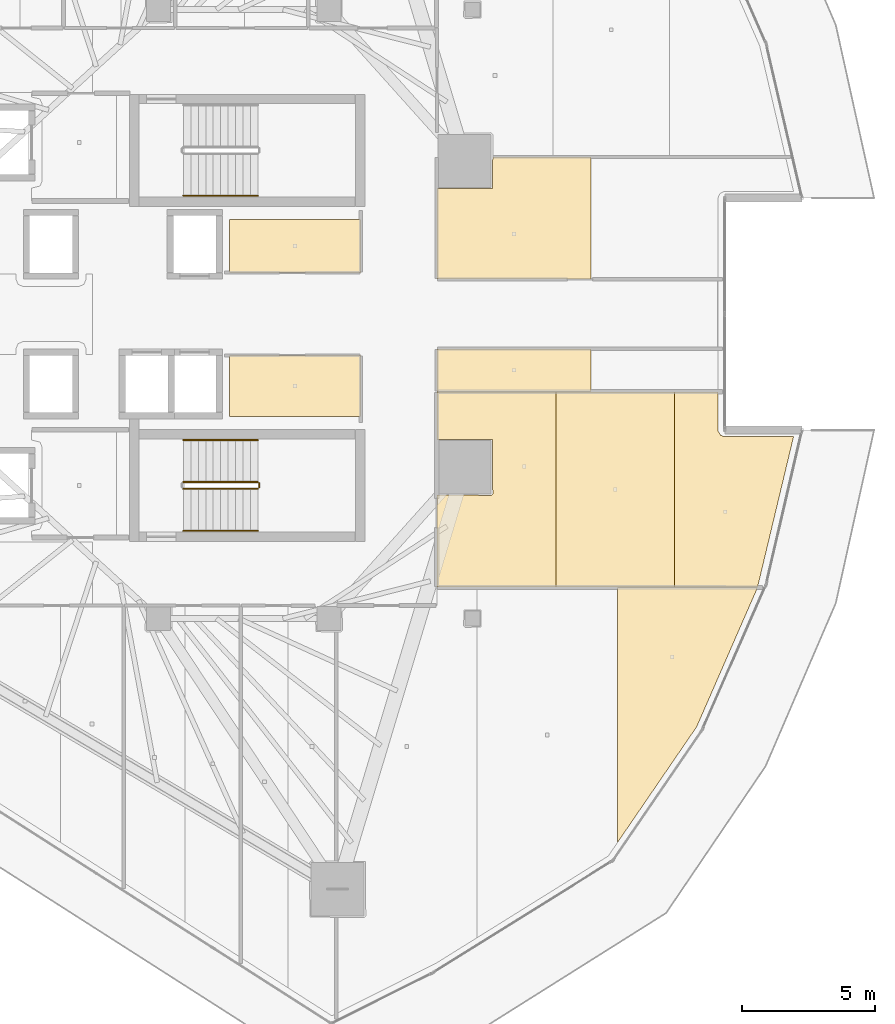
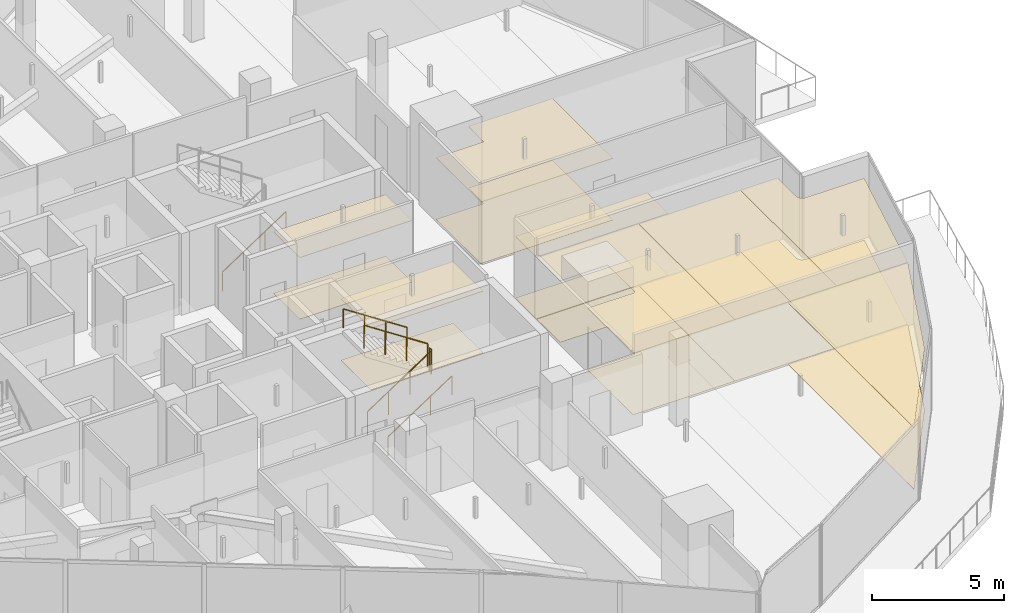
# One storey, part 40 of 43: 16 coverings, 6 railings.
"""IFC4 building model written with IfcOpenShell, lengths in metres."""

import ifcopenshell
import ifcopenshell.guid

model = None  # the IFC model being written
_history = None  # IfcOwnerHistory: only IFC2X3 demands one
_inside = {}  # id of a spatial element -> (the spatial element, [elements in it])
_under = {}  # id of a project, library or spatial element -> (it, [spatial elements below it])
_declared = {}  # id of a project -> (the project, [libraries it declares])
_typed = {}  # id of a type object -> (the type object, [elements of that type])
_made_of = {}  # id of a material, layer set ... -> (it, [elements and type objects made of it])


def new_model(schema):
    """Start an empty IFC model of exactly this schema.

    Asked for "IFC4X3", IfcOpenShell would pick the latest addendum, in which some entities
    have other attributes; the version numbers below select the first issue.
    IFC2X3 requires an IfcOwnerHistory on every rooted entity: one is made here for all.
    """
    global model, _history
    if schema == "IFC4X3":
        model = ifcopenshell.file(schema_version=(4, 3, 0, 0))
    else:
        model = ifcopenshell.file(schema=schema)
    _inside.clear()
    _under.clear()
    _declared.clear()
    _typed.clear()
    _made_of.clear()
    _history = None
    if model.schema == "IFC2X3":
        org = make("IfcOrganization", Name="unknown")
        user = make(
            "IfcPersonAndOrganization",
            ThePerson=make("IfcPerson", FamilyName="unknown"),
            TheOrganization=org,
        )
        app = make(
            "IfcApplication",
            ApplicationDeveloper=org,
            Version="unknown",
            ApplicationFullName="unknown",
            ApplicationIdentifier="unknown",
        )
        _history = make(
            "IfcOwnerHistory",
            OwningUser=user,
            OwningApplication=app,
            ChangeAction="ADDED",
            CreationDate=0,
        )
    return model


def make(cls, **values):
    """One entity of the class cls with the attributes given. An attribute that is None is left unset."""
    return model.create_entity(
        cls, **{name: value for name, value in values.items() if value is not None}
    )


def rooted(cls, **values):
    """An entity with a GlobalId (a new one), such as an element, a storey or a relation."""
    return make(cls, GlobalId=ifcopenshell.guid.new(), OwnerHistory=_history, **values)


def si_unit(unit_type, name, prefix=None):
    """IfcSIUnit, for example si_unit("LENGTHUNIT", "METRE", prefix="MILLI")."""
    return make("IfcSIUnit", UnitType=unit_type, Prefix=prefix, Name=name)


def assignment(units):
    """IfcUnitAssignment: the units of a project."""
    return None if units is None else make("IfcUnitAssignment", Units=units)


def point(xyz):
    """IfcCartesianPoint."""
    return None if xyz is None else make("IfcCartesianPoint", Coordinates=xyz)


def direction(xyz):
    """IfcDirection."""
    return None if xyz is None else make("IfcDirection", DirectionRatios=xyz)


def frame(location, z_axis=None, x_axis=None):
    """IfcAxis2Placement3D, a coordinate frame: its origin and axes. An axis left out is left unset."""
    return make(
        "IfcAxis2Placement3D",
        Location=point(location),
        Axis=direction(z_axis),
        RefDirection=direction(x_axis),
    )


def frame_2d(location, x_axis=None):
    """IfcAxis2Placement2D, a coordinate frame in the plane: its origin and x axis."""
    return make(
        "IfcAxis2Placement2D", Location=point(location), RefDirection=direction(x_axis)
    )


def origin():
    """The frame at (0, 0, 0) with its axes left unset."""
    return frame((0.0, 0.0, 0.0))


def origin_2d():
    """The frame at (0, 0) in the plane with its x axis left unset."""
    return frame_2d((0.0, 0.0))


def place(relative_to, where):
    """IfcLocalPlacement: puts the frame where relative to a parent placement (None: the world)."""
    return make(
        "IfcLocalPlacement", PlacementRelTo=relative_to, RelativePlacement=where
    )


def context(
    kind, dimensions, precision=None, world=None, true_north=None, identifier=None
):
    """IfcGeometricRepresentationContext, for example the 3D "Model" context."""
    return make(
        "IfcGeometricRepresentationContext",
        ContextIdentifier=identifier,
        ContextType=kind,
        CoordinateSpaceDimension=dimensions,
        Precision=precision,
        WorldCoordinateSystem=world,
        TrueNorth=true_north,
    )


def subcontext(parent, identifier, kind, view, scale=None):
    """IfcGeometricRepresentationSubContext, for example "Body" below "Model"."""
    return make(
        "IfcGeometricRepresentationSubContext",
        ContextIdentifier=identifier,
        ContextType=kind,
        ParentContext=parent,
        TargetScale=scale,
        TargetView=view,
    )


def project(units=None, contexts=None):
    """IfcProject with its units and contexts."""
    return rooted(
        "IfcProject",
        Name="project",
        RepresentationContexts=contexts,
        UnitsInContext=assignment(units),
    )


def spatial(cls, under=None, at=None, **own):
    """A site, building, storey or space (cls), placed at a placement, below another one or the project."""
    s = rooted(cls, ObjectPlacement=at, **own)
    if under is not None:
        _under.setdefault(under.id(), (under, []))[1].append(s)
    return s


def polyline(points):
    """IfcPolyline through the points."""
    return make("IfcPolyline", Points=[point(p) for p in points])


def profile(cls, at=None, kind="AREA", **sizes):
    """A parametric profile (cls). Its sizes go by their IFC names, for example OverallWidth=200.0."""
    return make(cls, ProfileType=kind, Position=at, **sizes)


def circle(**sizes):
    """IfcCircleProfileDef."""
    return profile("IfcCircleProfileDef", **sizes)


def outline(outer, holes=None, kind="AREA"):
    """IfcArbitraryClosedProfileDef: a profile drawn as a closed curve; with holes, ...WithVoids."""
    if holes is None:
        return make("IfcArbitraryClosedProfileDef", ProfileType=kind, OuterCurve=outer)
    return make(
        "IfcArbitraryProfileDefWithVoids",
        ProfileType=kind,
        OuterCurve=outer,
        InnerCurves=holes,
    )


def extrude(swept, where, along, depth):
    """IfcExtrudedAreaSolid: the profile swept, set in the frame where, extruded along a direction by depth."""
    return make(
        "IfcExtrudedAreaSolid",
        SweptArea=swept,
        Position=where,
        ExtrudedDirection=direction(along),
        Depth=depth,
    )


def shape(context_of_items, identifier, shape_type, items):
    """IfcShapeRepresentation: the items that make up one representation, for example the "Body"."""
    return make(
        "IfcShapeRepresentation",
        ContextOfItems=context_of_items,
        RepresentationIdentifier=identifier,
        RepresentationType=shape_type,
        Items=items,
    )


def material(Name=None, Category=None):
    """IfcMaterial."""
    return make("IfcMaterial", Name=Name, Category=Category)


def layer(
    of_material, thickness, ventilated=None, Name=None, Category=None, Priority=None
):
    """IfcMaterialLayer: one layer of a wall or slab, of a material (None: an air gap)."""
    return make(
        "IfcMaterialLayer",
        Material=of_material,
        LayerThickness=thickness,
        IsVentilated=ventilated,
        Name=Name,
        Category=Category,
        Priority=Priority,
    )


def layer_set(layers, Name=None):
    """IfcMaterialLayerSet."""
    return make("IfcMaterialLayerSet", MaterialLayers=layers, LayerSetName=Name)


def made_of(thing, what):
    """Note that an element or type object is made of a material, layer set ...; save() writes the relation."""
    if what is not None:
        _made_of.setdefault(what.id(), (what, []))[1].append(thing)
    return thing


def type_object(cls, material=None, **own):
    """A type object (cls), such as IfcWallType, which elements share."""
    return made_of(rooted(cls, **own), material)


def element(
    cls,
    number,
    at=None,
    inside=None,
    cuts=None,
    type_object=None,
    material=None,
    context=None,
    identifier="Body",
    shape_type=None,
    held_by="IfcProductDefinitionShape",
    body=None,
    shapes=None,
    **own,
):
    """One element of the class cls, such as IfcWall. Its Tag is "e" and its number.

    at: its placement. inside: the storey or other place that contains it. cuts: it is an
    opening in that element (IfcRelVoidsElement). A single representation is given by context,
    identifier, shape_type and body (its items); several are given by shapes. held_by: the class
    of the entity that holds the representations. save() writes the other relations.
    """
    e = rooted(cls, Tag="e%d" % number, ObjectPlacement=at, **own)
    if body is not None:
        shapes = [shape(context, identifier, shape_type, body)]
    if shapes is not None:
        e.Representation = make(held_by, Representations=shapes)
    if inside is not None:
        _inside.setdefault(inside.id(), (inside, []))[1].append(e)
    if cuts is not None:
        rooted(
            "IfcRelVoidsElement", RelatingBuildingElement=cuts, RelatedOpeningElement=e
        )
    if type_object is not None:
        _typed.setdefault(type_object.id(), (type_object, []))[1].append(e)
    return made_of(e, material)


def aggregate(whole, parts):
    """IfcRelAggregates: a whole, such as a stair, and the parts it consists of."""
    return rooted("IfcRelAggregates", RelatingObject=whole, RelatedObjects=parts)


def save(model, path):
    """Write the relations noted so far, then the file.

    IfcRelAggregates (storeys below a building ...), IfcRelContainedInSpatialStructure (elements
    in a storey), IfcRelDefinesByType, IfcRelAssociatesMaterial and IfcRelDeclares: one each for
    every whole, place, type object, material and project.
    """
    for whole, parts in _under.values():
        aggregate(whole, parts)
    for where, things in _inside.values():
        rooted(
            "IfcRelContainedInSpatialStructure",
            RelatedElements=things,
            RelatingStructure=where,
        )
    for kind, things in _typed.values():
        rooted("IfcRelDefinesByType", RelatedObjects=things, RelatingType=kind)
    for what, things in _made_of.values():
        rooted("IfcRelAssociatesMaterial", RelatedObjects=things, RelatingMaterial=what)
    for by, libraries in _declared.values():
        rooted("IfcRelDeclares", RelatingContext=by, RelatedDefinitions=libraries)
    model.write(path)


model = new_model("IFC4")

# Units and contexts
model_context = context("Model", 3, precision=1e-05, world=origin(), true_north=direction((0.0, 1.0)))
body_context = subcontext(model_context, "Body", "Model", "MODEL_VIEW")
ifc_project = project(units=[si_unit("LENGTHUNIT", "METRE"), si_unit("AREAUNIT", "SQUARE_METRE"), si_unit("VOLUMEUNIT", "CUBIC_METRE"), si_unit("PLANEANGLEUNIT", "RADIAN"), si_unit("MASSUNIT", "GRAM", prefix="KILO")], contexts=[model_context])

# Site, building, storey
site_placement = place(None, origin())
site = spatial("IfcSite", under=ifc_project, at=site_placement, CompositionType="ELEMENT")
building_placement = place(site_placement, origin())
building = spatial("IfcBuilding", under=site, at=building_placement, Name="Qorvath Tower", CompositionType="ELEMENT")
storey_placement = place(building_placement, frame((0.0, 0.0, 213.14990234375)))
storey = spatial("IfcBuildingStorey", under=building, at=storey_placement, Name="L49", CompositionType="ELEMENT", Elevation=213.14990234375)

# Coverings
ifc_material_1 = material(Name="Acoustic mineral fibre ceiling tile", Category="gypsum")
ifc_layer_1 = layer(ifc_material_1, 0.030029296875)
ifc_layer_set_1 = layer_set([ifc_layer_1], Name="COV-CEIL")
covering_type_1 = type_object("IfcCoveringType", Name="COV-CEIL", PredefinedType="CEILING", material=ifc_layer_set_1)
covering_1_placement = place(storey_placement, frame((0.0, 0.0, 2.85009765625)))
element("IfcCovering", 1, at=covering_1_placement, inside=storey, type_object=covering_type_1, Name="L49 Suspended Acoustic Ceiling 003", PredefinedType="CEILING", context=body_context, shape_type="SweptSolid", body=[
    extrude(outline(polyline([(-16.0048828125, 3.56005859375), (-20.93994140625, 3.56005859375), (-20.93994140625, 1.56494140625), (-16.0048828125, 1.56494140625), (-16.0048828125, 3.56005859375)])), origin(), (0.0, 0.0, 1.0), 0.030029296875),
])
covering_2_placement = place(storey_placement, frame((0.0, 0.0, 2.85009765625)))
element("IfcCovering", 2, at=covering_2_placement, inside=storey, type_object=covering_type_1, Name="L49 Suspended Acoustic Ceiling 004", PredefinedType="CEILING", context=body_context, shape_type="SweptSolid", body=[
    extrude(outline(polyline([(-20.93994140625, -1.56494140625), (-20.93994140625, -3.85009765625), (-16.0048828125, -3.85009765625), (-16.0048828125, -1.56494140625), (-20.93994140625, -1.56494140625)])), origin(), (0.0, 0.0, 1.0), 0.030029296875),
])
covering_3_placement = place(storey_placement, frame((0.0, 0.0, 2.85009765625)))
element("IfcCovering", 3, at=covering_3_placement, inside=storey, type_object=covering_type_1, Name="L49 Suspended Acoustic Ceiling 033", PredefinedType="CEILING", context=body_context, shape_type="SweptSolid", body=[
    extrude(outline(polyline([(-6.35595703125, -10.28173828125), (-6.35595703125, -19.885498046875), (-3.366943359375, -15.516845703125), (-1.0810546875, -10.283935546875), (-6.35595703125, -10.28173828125)])), origin(), (0.0, 0.0, 1.0), 0.030029296875),
])
covering_4_placement = place(storey_placement, frame((0.0, 0.0, 2.85009765625)))
element("IfcCovering", 4, at=covering_4_placement, inside=storey, type_object=covering_type_1, Name="L49 Suspended Acoustic Ceiling 034", PredefinedType="CEILING", context=body_context, shape_type="SweptSolid", body=[
    extrude(outline(polyline([(-8.6669921875, -10.262939453125), (-8.6669921875, -2.930908203125), (-13.136962890625, -2.930908203125), (-13.136962890625, -4.714599609375), (-11.054443359375, -4.715576171875), (-11.036865234375, -6.7578125), (-11.0966796875, -6.81787109375), (-13.136962890625, -6.80126953125), (-13.136962890625, -10.26123046875), (-8.6669921875, -10.262939453125)])), origin(), (0.0, 0.0, 1.0), 0.030029296875),
])
covering_5_placement = place(storey_placement, frame((0.0, 0.0, 2.85009765625)))
element("IfcCovering", 5, at=covering_5_placement, inside=storey, type_object=covering_type_1, Name="L49 Suspended Acoustic Ceiling 035", PredefinedType="CEILING", context=body_context, shape_type="SweptSolid", body=[
    extrude(outline(polyline([(-4.197021484375, -10.2646484375), (-4.197021484375, -2.930908203125), (-8.6669921875, -2.930908203125), (-8.6669921875, -10.262939453125), (-4.197021484375, -10.2646484375)])), origin(), (0.0, 0.0, 1.0), 0.030029296875),
])
covering_6_placement = place(storey_placement, frame((0.0, 0.0, 2.85009765625)))
element("IfcCovering", 6, at=covering_6_placement, inside=storey, type_object=covering_type_1, Name="L49 Suspended Acoustic Ceiling 036", PredefinedType="CEILING", context=body_context, shape_type="SweptSolid", body=[
    extrude(outline(polyline([(-2.473876953125, -4.5537109375), (-2.56103515625, -4.406494140625), (-2.56591796875, -2.930908203125), (-4.197021484375, -2.930908203125), (-4.197021484375, -10.2646484375), (-1.079345703125, -10.265869140625), (0.273193359375, -4.61279296875), (-2.33544921875, -4.611572265625), (-2.473876953125, -4.5537109375)])), origin(), (0.0, 0.0, 1.0), 0.030029296875),
])
covering_7_placement = place(storey_placement, frame((0.0, 0.0, 2.85009765625)))
element("IfcCovering", 7, at=covering_7_placement, inside=storey, type_object=covering_type_1, Name="L49 Suspended Acoustic Ceiling 037", PredefinedType="CEILING", context=body_context, shape_type="SweptSolid", body=[
    extrude(outline(polyline([(-7.342529296875, 1.31298828125), (-7.342529296875, 5.900390625), (-11.036865234375, 5.900390625), (-11.054443359375, 4.715576171875), (-13.136962890625, 4.714599609375), (-13.136962890625, 1.31298828125), (-7.342529296875, 1.31298828125)])), origin(), (0.0, 0.0, 1.0), 0.030029296875),
])
covering_8_placement = place(storey_placement, frame((0.0, 0.0, 2.85009765625)))
element("IfcCovering", 8, at=covering_8_placement, inside=storey, type_object=covering_type_1, Name="L49 Suspended Acoustic Ceiling 038", PredefinedType="CEILING", context=body_context, shape_type="SweptSolid", body=[
    extrude(outline(polyline([(-7.342529296875, -2.912841796875), (-7.342529296875, -1.310302734375), (-13.136962890625, -1.31298828125), (-13.136962890625, -2.912841796875), (-7.342529296875, -2.912841796875)])), origin(), (0.0, 0.0, 1.0), 0.030029296875),
])
ifc_material_2 = material(Name="Low-VOC modular carpet tile", Category="textile")
ifc_layer_2 = layer(ifc_material_2, 0.014892578125)
ifc_layer_set_2 = layer_set([ifc_layer_2], Name="COV-FLOOR-CPT")
covering_type_2 = type_object("IfcCoveringType", Name="COV-FLOOR-CPT", PredefinedType="FLOORING", material=ifc_layer_set_2)
covering_9_placement = place(storey_placement, origin())
element("IfcCovering", 9, at=covering_9_placement, inside=storey, type_object=covering_type_2, Name="L49 Floor Finish 003", PredefinedType="FLOORING", context=body_context, shape_type="SweptSolid", body=[
    extrude(outline(polyline([(-16.0048828125, 3.56005859375), (-20.93994140625, 3.56005859375), (-20.93994140625, 1.56494140625), (-16.0048828125, 1.56494140625), (-16.0048828125, 3.56005859375)])), origin(), (0.0, 0.0, 1.0), 0.01513671875),
])
covering_10_placement = place(storey_placement, origin())
element("IfcCovering", 10, at=covering_10_placement, inside=storey, type_object=covering_type_2, Name="L49 Floor Finish 004", PredefinedType="FLOORING", context=body_context, shape_type="SweptSolid", body=[
    extrude(outline(polyline([(-20.93994140625, -1.56494140625), (-20.93994140625, -3.85009765625), (-16.0048828125, -3.85009765625), (-16.0048828125, -1.56494140625), (-20.93994140625, -1.56494140625)])), origin(), (0.0, 0.0, 1.0), 0.01513671875),
])
covering_11_placement = place(storey_placement, origin())
element("IfcCovering", 11, at=covering_11_placement, inside=storey, type_object=covering_type_2, Name="L49 Floor Finish 033", PredefinedType="FLOORING", context=body_context, shape_type="SweptSolid", body=[
    extrude(outline(polyline([(-6.35595703125, -10.28173828125), (-6.35595703125, -19.885498046875), (-3.366943359375, -15.516845703125), (-1.0810546875, -10.283935546875), (-6.35595703125, -10.28173828125)])), origin(), (0.0, 0.0, 1.0), 0.01513671875),
])
covering_12_placement = place(storey_placement, origin())
element("IfcCovering", 12, at=covering_12_placement, inside=storey, type_object=covering_type_2, Name="L49 Floor Finish 034", PredefinedType="FLOORING", context=body_context, shape_type="SweptSolid", body=[
    extrude(outline(polyline([(-8.6669921875, -10.262939453125), (-8.6669921875, -2.930908203125), (-13.136962890625, -2.930908203125), (-13.136962890625, -4.714599609375), (-11.054443359375, -4.715576171875), (-11.036865234375, -6.7578125), (-11.0966796875, -6.81787109375), (-13.136962890625, -6.80126953125), (-13.136962890625, -10.26123046875), (-8.6669921875, -10.262939453125)])), origin(), (0.0, 0.0, 1.0), 0.01513671875),
])
covering_13_placement = place(storey_placement, origin())
element("IfcCovering", 13, at=covering_13_placement, inside=storey, type_object=covering_type_2, Name="L49 Floor Finish 035", PredefinedType="FLOORING", context=body_context, shape_type="SweptSolid", body=[
    extrude(outline(polyline([(-4.197021484375, -10.2646484375), (-4.197021484375, -2.930908203125), (-8.6669921875, -2.930908203125), (-8.6669921875, -10.262939453125), (-4.197021484375, -10.2646484375)])), origin(), (0.0, 0.0, 1.0), 0.01513671875),
])
covering_14_placement = place(storey_placement, origin())
element("IfcCovering", 14, at=covering_14_placement, inside=storey, type_object=covering_type_2, Name="L49 Floor Finish 036", PredefinedType="FLOORING", context=body_context, shape_type="SweptSolid", body=[
    extrude(outline(polyline([(-2.473876953125, -4.5537109375), (-2.56103515625, -4.406494140625), (-2.56591796875, -2.930908203125), (-4.197021484375, -2.930908203125), (-4.197021484375, -10.2646484375), (-1.079345703125, -10.265869140625), (0.273193359375, -4.61279296875), (-2.33544921875, -4.611572265625), (-2.473876953125, -4.5537109375)])), origin(), (0.0, 0.0, 1.0), 0.01513671875),
])
covering_15_placement = place(storey_placement, origin())
element("IfcCovering", 15, at=covering_15_placement, inside=storey, type_object=covering_type_2, Name="L49 Floor Finish 037", PredefinedType="FLOORING", context=body_context, shape_type="SweptSolid", body=[
    extrude(outline(polyline([(-7.342529296875, 1.31298828125), (-7.342529296875, 5.900390625), (-11.036865234375, 5.900390625), (-11.054443359375, 4.715576171875), (-13.136962890625, 4.714599609375), (-13.136962890625, 1.31298828125), (-7.342529296875, 1.31298828125)])), origin(), (0.0, 0.0, 1.0), 0.01513671875),
])
covering_16_placement = place(storey_placement, origin())
element("IfcCovering", 16, at=covering_16_placement, inside=storey, type_object=covering_type_2, Name="L49 Floor Finish 038", PredefinedType="FLOORING", context=body_context, shape_type="SweptSolid", body=[
    extrude(outline(polyline([(-7.342529296875, -2.912841796875), (-7.342529296875, -1.310302734375), (-13.136962890625, -1.31298828125), (-13.136962890625, -2.912841796875), (-7.342529296875, -2.912841796875)])), origin(), (0.0, 0.0, 1.0), 0.01513671875),
])

# Railings
ifc_material_3 = material(Name="Painted galvanised steel", Category="steel")
railing_type_1 = type_object("IfcRailingType", Name="RL-STR-GRD", PredefinedType="GUARDRAIL", material=ifc_material_3)
railing_1_placement = place(storey_placement, frame((-22.669921875, -6.570068359375, 0.18408203125)))
element("IfcRailing", 17, at=railing_1_placement, inside=storey, type_object=railing_type_1, Name="L49 TS2 stair guard 1", PredefinedType="GUARDRAIL", context=body_context, shape_type="SweptSolid", body=[
    extrude(circle(Radius=0.02392578125, at=origin_2d()), frame((0.0, 0.0, 1.076171875), z_axis=(0.835542071712, 0.0, 0.549426470421), x_axis=(0.0, 1.0, 0.0)), (0.0, 0.0, 1.0), 3.350830078125),
    extrude(circle(Radius=0.02099609375, at=origin_2d()), origin(), (0.0, 0.0, 1.0), 1.052001953125),
    extrude(circle(Radius=0.02099609375, at=origin_2d()), frame((0.933349609375, 0.0, 0.61376953125)), (0.0, 0.0, 1.0), 1.052001953125),
    extrude(circle(Radius=0.02099609375, at=origin_2d()), frame((1.866455078125, 0.0, 1.227294921875)), (0.0, 0.0, 1.0), 1.052001953125),
    extrude(circle(Radius=0.02099609375, at=origin_2d()), frame((2.7998046875, 0.0, 1.841064453125)), (0.0, 0.0, 1.0), 1.052001953125),
])
railing_2_placement = place(storey_placement, frame((-19.820068359375, -6.52001953125, 2.025146484375)))
element("IfcRailing", 18, at=railing_2_placement, inside=storey, type_object=railing_type_1, Name="L49 TS2 stair guard 2", PredefinedType="GUARDRAIL", context=body_context, shape_type="SweptSolid", body=[
    extrude(circle(Radius=0.02392578125, at=origin_2d()), frame((0.0, 0.0, 1.076171875), z_axis=(0.0, 1.0, 0.0), x_axis=(-1.0, 0.0, 0.0)), (0.0, 0.0, 1.0), 0.14990234375),
    extrude(circle(Radius=0.02099609375, at=origin_2d()), origin(), (0.0, 0.0, 1.0), 1.052001953125),
    extrude(circle(Radius=0.02099609375, at=origin_2d()), frame((0.0, 0.14990234375, 0.0)), (0.0, 0.0, 1.0), 1.052001953125),
])
railing_3_placement = place(storey_placement, frame((-19.8701171875, -6.320068359375, 2.209228515625)))
element("IfcRailing", 19, at=railing_3_placement, inside=storey, type_object=railing_type_1, Name="L49 TS2 stair guard 3", PredefinedType="GUARDRAIL", context=body_context, shape_type="SweptSolid", body=[
    extrude(circle(Radius=0.02392578125, at=origin_2d()), frame((0.0, 0.0, 1.076171875), z_axis=(-0.835575518608, 0.0, 0.549375602573), x_axis=(0.0, -1.0, 0.0)), (0.0, 0.0, 1.0), 3.350830078125),
    extrude(circle(Radius=0.02099609375, at=origin_2d()), origin(), (0.0, 0.0, 1.0), 1.052001953125),
    extrude(circle(Radius=0.02099609375, at=origin_2d()), frame((-0.933349609375, 0.0, 0.613525390625)), (0.0, 0.0, 1.0), 1.052001953125),
    extrude(circle(Radius=0.02099609375, at=origin_2d()), frame((-1.866455078125, 0.0, 1.227294921875)), (0.0, 0.0, 1.0), 1.052001953125),
    extrude(circle(Radius=0.02099609375, at=origin_2d()), frame((-2.7998046875, 0.0, 1.8408203125)), (0.0, 0.0, 1.0), 1.052001953125),
])
ifc_material_4 = material(Name="Brushed stainless steel AISI 304", Category="steel")
railing_type_2 = type_object("IfcRailingType", Name="RL-STR-HND", PredefinedType="HANDRAIL", material=ifc_material_4)
for number, where, name in (
    (20, (-22.669921875, 4.449951171875, 0.18408203125), "L49 TS1 stair handrail 1"),
    (21, (-22.669921875, -8.14990234375, 0.18408203125), "L49 TS2 stair handrail 1"),
):
    element("IfcRailing", number, at=place(storey_placement, frame(where)), inside=storey, type_object=railing_type_2, Name=name, PredefinedType="HANDRAIL", context=body_context, shape_type="SweptSolid", body=[
        extrude(circle(Radius=0.02392578125, at=origin_2d()), frame((0.0, 0.0, 0.8759765625), z_axis=(0.835542071712, 0.0, 0.549426470421), x_axis=(0.0, 1.0, 0.0)), (0.0, 0.0, 1.0), 3.350830078125),
        extrude(circle(Radius=0.02099609375, at=origin_2d()), origin(), (0.0, 0.0, 1.0), 0.851806640625),
        extrude(circle(Radius=0.02099609375, at=origin_2d()), frame((0.933349609375, 0.0, 0.61376953125)), (0.0, 0.0, 1.0), 0.851806640625),
        extrude(circle(Radius=0.02099609375, at=origin_2d()), frame((1.866455078125, 0.0, 1.227294921875)), (0.0, 0.0, 1.0), 0.851806640625),
        extrude(circle(Radius=0.02099609375, at=origin_2d()), frame((2.7998046875, 0.0, 1.841064453125)), (0.0, 0.0, 1.0), 0.851806640625),
    ])
railing_4_placement = place(storey_placement, frame((-19.8701171875, -4.739990234375, 2.209228515625)))
element("IfcRailing", 22, at=railing_4_placement, inside=storey, type_object=railing_type_2, Name="L49 TS2 stair handrail 2", PredefinedType="HANDRAIL", context=body_context, shape_type="SweptSolid", body=[
    extrude(circle(Radius=0.02392578125, at=origin_2d()), frame((0.0, 0.0, 0.8759765625), z_axis=(-0.835575518608, 0.0, 0.549375602573), x_axis=(0.0, -1.0, 0.0)), (0.0, 0.0, 1.0), 3.350830078125),
    extrude(circle(Radius=0.02099609375, at=origin_2d()), origin(), (0.0, 0.0, 1.0), 0.851806640625),
    extrude(circle(Radius=0.02099609375, at=origin_2d()), frame((-0.933349609375, 0.0, 0.613525390625)), (0.0, 0.0, 1.0), 0.851806640625),
    extrude(circle(Radius=0.02099609375, at=origin_2d()), frame((-1.866455078125, 0.0, 1.227294921875)), (0.0, 0.0, 1.0), 0.851806640625),
    extrude(circle(Radius=0.02099609375, at=origin_2d()), frame((-2.7998046875, 0.0, 1.8408203125)), (0.0, 0.0, 1.0), 0.851806640625),
])

save(model, "model.ifc")
